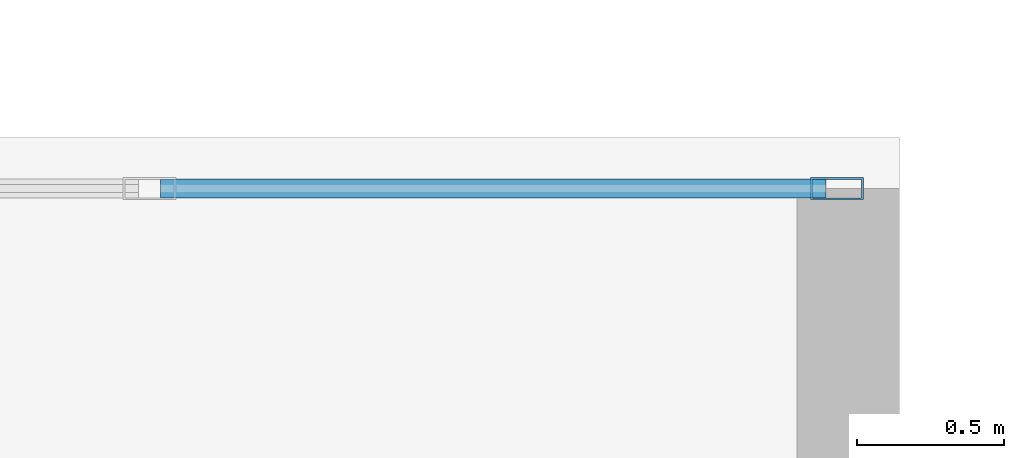
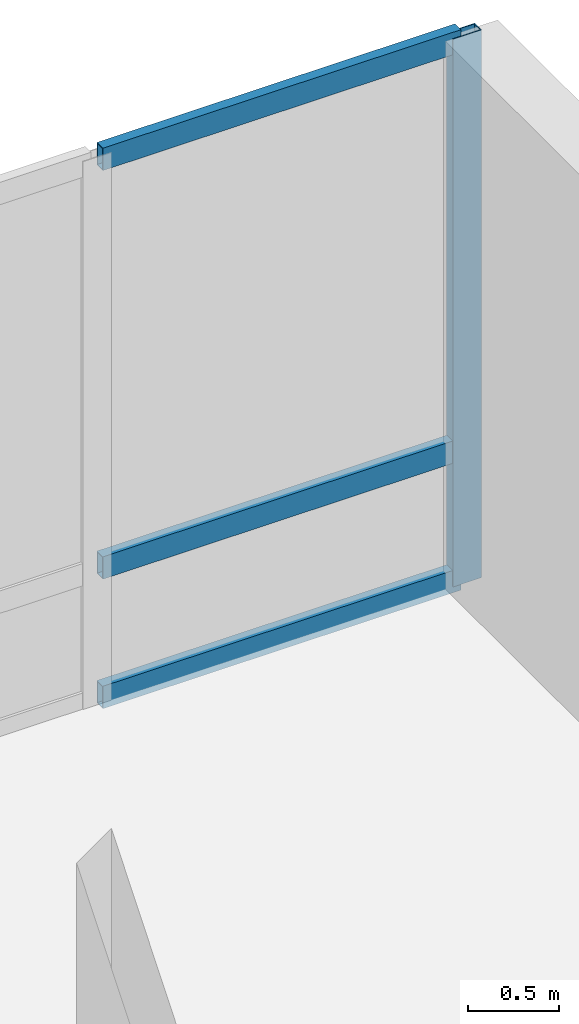
# One storey, part 4 of 17: 4 members, 1 element without a shape of its own.
"""IFC4 building model written with IfcOpenShell, lengths in metres."""

from ifc_helpers import new_model, si_unit, direction, frame, origin, origin_2d, place, context, subcontext, project, spatial, hollow_rectangle, extrude, material, layer, layer_set, material_profile, profile_set, type_object, element, aggregate, save


model = new_model("IFC4")

# Units and contexts
model_context = context("Model", 3, precision=1e-05, world=origin(), true_north=direction((0.0, 1.0)))
body_context = subcontext(model_context, "Body", "Model", "MODEL_VIEW")
ifc_project = project(units=[si_unit("LENGTHUNIT", "METRE"), si_unit("AREAUNIT", "SQUARE_METRE"), si_unit("VOLUMEUNIT", "CUBIC_METRE"), si_unit("PLANEANGLEUNIT", "RADIAN"), si_unit("MASSUNIT", "GRAM", prefix="KILO")], contexts=[model_context])

# Site, building, storey
site_placement = place(None, origin())
site = spatial("IfcSite", under=ifc_project, at=site_placement, CompositionType="ELEMENT")
building_placement = place(site_placement, origin())
building = spatial("IfcBuilding", under=site, at=building_placement, Name="Koriwani Terraces Tower", CompositionType="ELEMENT")
storey_placement = place(building_placement, frame((0.0, 0.0, 347.60009765625)))
storey = spatial("IfcBuildingStorey", under=building, at=storey_placement, Name="L86", CompositionType="ELEMENT", Elevation=347.60009765625)

# Curtain wall, members
ifc_material = material(Name="Anodised Bronze Aluminium", Category="aluminium")
ifc_layer = layer(ifc_material, 0.18994140625, Name="Anodised Bronze Aluminium")
ifc_layer_set = layer_set([ifc_layer], Name="Anodised Bronze Aluminium")
curtain_wall_type = type_object("IfcCurtainWallType", Name="CW_PENTHOUSE_ZONE5", PredefinedType="NOTDEFINED", material=ifc_layer_set)
curtain_wall_placement = place(storey_placement, origin())
curtain_wall = element("IfcCurtainWall", 1, at=curtain_wall_placement, inside=storey, type_object=curtain_wall_type, Name="L86 Unitised Curtain Wall (N_TIP) Bay 3", PredefinedType="NOTDEFINED")
ifc_material_profile_1 = material_profile(ifc_material, hollow_rectangle(XDim=0.074951171875, YDim=0.179931640625, WallThickness=0.006103515625, at=origin_2d()), Name="Anodised Bronze Aluminium", Category="LoadBearing")
ifc_profile_set_1 = profile_set([ifc_material_profile_1], Name="Anodised Bronze Aluminium")
member_type_1 = type_object("IfcMemberType", Name="CW_MULLION_180X75", PredefinedType="MULLION", material=ifc_profile_set_1)
member_1_placement = place(storey_placement, frame((30.387451171875, 75.425048828125, 0.0), z_axis=(0.0, 0.0, 1.0), x_axis=(0.0, 1.0, 0.0)))
member_1 = element("IfcMember", 2, at=member_1_placement, type_object=member_type_1, Name="CW-Z5 mullion 3", PredefinedType="MULLION", context=body_context, shape_type="SweptSolid", body=[
    extrude(hollow_rectangle(XDim=0.074951171875, YDim=0.179931640625, WallThickness=0.006103515625, at=origin_2d()), origin(), (0.0, 0.0, 1.0), 3.669921875),
])
ifc_material_profile_2 = material_profile(ifc_material, hollow_rectangle(XDim=0.06494140625, YDim=0.14990234375, WallThickness=0.0048828125, at=origin_2d()), Name="Anodised Bronze Aluminium", Category="LoadBearing")
ifc_profile_set_2 = profile_set([ifc_material_profile_2], Name="Anodised Bronze Aluminium")
member_type_2 = type_object("IfcMemberType", Name="CW_TRANSOM_150X65", PredefinedType="USERDEFINED", material=ifc_profile_set_2)
member_2_placement = place(storey_placement, frame((28.080078125, 75.425048828125, 0.032470703125), z_axis=(1.0, 0.0, 0.0), x_axis=(0.0, 1.0, 0.0)))
member_2 = element("IfcMember", 3, at=member_2_placement, type_object=member_type_2, Name="CW-Z5 transom 2.1", ObjectType="TRANSOM", PredefinedType="USERDEFINED", context=body_context, shape_type="SweptSolid", body=[
    extrude(hollow_rectangle(XDim=0.06494140625, YDim=0.14990234375, WallThickness=0.0048828125, at=origin_2d()), origin(), (0.0, 0.0, 1.0), 2.27001953125),
])
member_3_placement = place(storey_placement, frame((28.080078125, 75.425048828125, 0.89990234375), z_axis=(1.0, 0.0, 0.0), x_axis=(0.0, 1.0, 0.0)))
member_3 = element("IfcMember", 4, at=member_3_placement, type_object=member_type_2, Name="CW-Z5 transom 2.2", ObjectType="TRANSOM", PredefinedType="USERDEFINED", context=body_context, shape_type="SweptSolid", body=[
    extrude(hollow_rectangle(XDim=0.06494140625, YDim=0.14990234375, WallThickness=0.0048828125, at=origin_2d()), origin(), (0.0, 0.0, 1.0), 2.27001953125),
])
member_4_placement = place(storey_placement, frame((28.080078125, 75.425048828125, 3.637451171875), z_axis=(1.0, 0.0, 0.0), x_axis=(0.0, 1.0, 0.0)))
member_4 = element("IfcMember", 5, at=member_4_placement, type_object=member_type_2, Name="CW-Z5 transom 2.3", ObjectType="TRANSOM", PredefinedType="USERDEFINED", context=body_context, shape_type="SweptSolid", body=[
    extrude(hollow_rectangle(XDim=0.06494140625, YDim=0.14990234375, WallThickness=0.0048828125, at=origin_2d()), origin(), (0.0, 0.0, 1.0), 2.27001953125),
])
aggregate(curtain_wall, [member_1, member_2, member_3, member_4])

save(model, "model.ifc")
